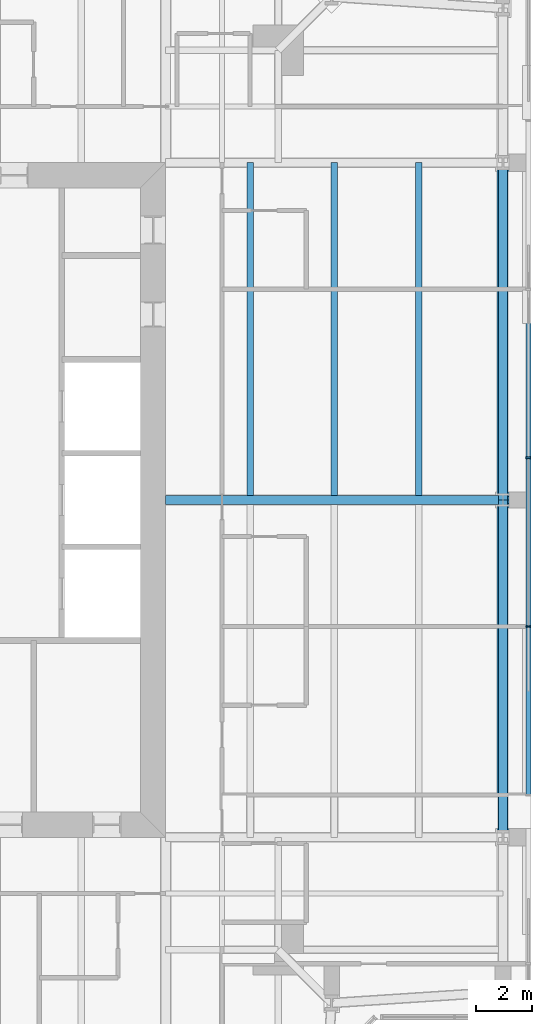
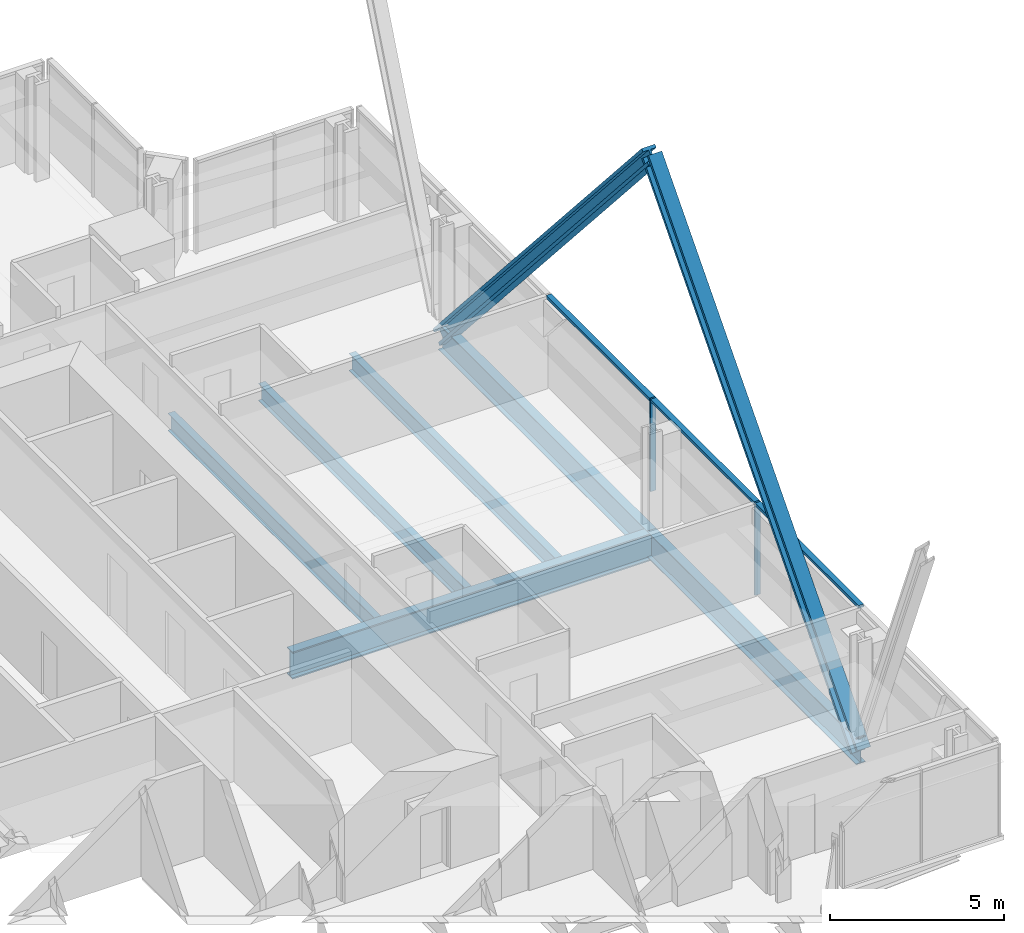
# One storey, part 6 of 18: 7 members, 6 beams, 1 element without a shape of its own.
"""IFC4 building model written with IfcOpenShell, lengths in metres."""

from ifc_helpers import new_model, si_unit, direction, frame, origin, origin_2d, place, context, subcontext, project, spatial, rectangle, i_section, extrude, material, material_profile, profile_set, type_object, element, aggregate, save


model = new_model("IFC4")

# Units and contexts
model_context = context("Model", 3, precision=1e-05, world=origin(), true_north=direction((0.0, 1.0)))
body_context = subcontext(model_context, "Body", "Model", "MODEL_VIEW")
ifc_project = project(units=[si_unit("LENGTHUNIT", "METRE"), si_unit("AREAUNIT", "SQUARE_METRE"), si_unit("VOLUMEUNIT", "CUBIC_METRE"), si_unit("PLANEANGLEUNIT", "RADIAN"), si_unit("MASSUNIT", "GRAM", prefix="KILO")], contexts=[model_context])

# Site, building, storey
site_placement = place(None, origin())
site = spatial("IfcSite", under=ifc_project, at=site_placement, CompositionType="ELEMENT")
building_placement = place(site_placement, origin())
building = spatial("IfcBuilding", under=site, at=building_placement, Name="Fenwick Lantern Interchange", CompositionType="ELEMENT")
storey_placement = place(building_placement, frame((0.0, 0.0, 269.60009765625)))
storey = spatial("IfcBuildingStorey", under=building, at=storey_placement, Name="L64", CompositionType="ELEMENT", Elevation=269.60009765625)

# Beams
ifc_material_1 = material(Name="Steel ASTM A992 Grade 50", Category="steel")
ifc_material_profile_1 = material_profile(ifc_material_1, i_section(OverallWidth=0.3046875, OverallDepth=0.911865234375, WebThickness=0.015869140625, FlangeThickness=0.02392578125, at=origin_2d()), Name="W36X150")
ifc_profile_set_1 = profile_set([ifc_material_profile_1], Name="Steel ASTM A992 Grade 50")
beam_type_1 = type_object("IfcBeamType", Name="EDGE BEAM W36X150", PredefinedType="SPANDREL", material=ifc_profile_set_1)
for number, where, z_axis, x_axis, name in (
    (1, (49.0, 13.0, -0.60595703125), (0.0, 1.0, 0.0), (-1.0, 0.0, 0.0), "L64/FR/E/EB2"),
    (2, (49.0, 25.0, -0.60595703125), (0.0, 1.0, 0.0), (-1.0, 0.0, 0.0), "L64/FR/E/EB3"),
):
    element("IfcBeam", number, at=place(storey_placement, frame(where, z_axis=z_axis, x_axis=x_axis)), inside=storey, type_object=beam_type_1, Name=name, PredefinedType="SPANDREL", context=body_context, shape_type="SweptSolid", body=[
        extrude(i_section(OverallWidth=0.3046875, OverallDepth=0.911865234375, WebThickness=0.015869140625, FlangeThickness=0.02392578125, at=origin_2d()), origin(), (0.0, 0.0, 1.0), 12.0),
    ])

# Members
ifc_material_profile_2 = material_profile(ifc_material_1, i_section(OverallWidth=0.44189453125, OverallDepth=0.53076171875, WebThickness=0.06591796875, FlangeThickness=0.105712890625, at=origin_2d()), Name="W14X605")
ifc_profile_set_2 = profile_set([ifc_material_profile_2], Name="Steel ASTM A992 Grade 50")
member_type_1 = type_object("IfcMemberType", Name="FACADE BRACE W14X605", PredefinedType="BRACE", material=ifc_profile_set_2)
for number, where, z_axis, x_axis, name in (
    (3, (49.0, 13.0, -0.60595703125), (0.0, 0.661625643894, 0.749834319928), (-1.0, 0.0, 0.0), "L64/FB/E/A"),
    (4, (49.0, 37.0, -0.60595703125), (0.0, -0.661625643894, 0.749834319928), (1.0, 0.0, 0.0), "L64/FB/E/B"),
):
    element("IfcMember", number, at=place(storey_placement, frame(where, z_axis=z_axis, x_axis=x_axis)), inside=storey, type_object=member_type_1, Name=name, PredefinedType="BRACE", context=body_context, shape_type="SweptSolid", body=[
        extrude(i_section(OverallWidth=0.44189453125, OverallDepth=0.53076171875, WebThickness=0.06591796875, FlangeThickness=0.105712890625, at=origin_2d()), origin(), (0.0, 0.0, 1.0), 18.13720703125),
    ])

# Beams
ifc_material_profile_3 = material_profile(ifc_material_1, i_section(OverallWidth=0.22900390625, OverallDepth=0.612060546875, WebThickness=0.011962890625, FlangeThickness=0.01953125, at=origin_2d()), Name="W24X84")
ifc_profile_set_3 = profile_set([ifc_material_profile_3], Name="Steel ASTM A992 Grade 50")
beam_type_2 = type_object("IfcBeamType", Name="FLOOR BEAM W24X84", PredefinedType="BEAM", material=ifc_profile_set_3)
for number, where, z_axis, x_axis, name in (
    (5, (46.0, 25.155029296875, -0.4560546875), (0.0, 1.0, 0.0), (-1.0, 0.0, 0.0), "L64/FR/E/B04"),
    (6, (43.0, 25.155029296875, -0.4560546875), (0.0, 1.0, 0.0), (-1.0, 0.0, 0.0), "L64/FR/E/B05"),
    (7, (40.0, 25.155029296875, -0.4560546875), (0.0, 1.0, 0.0), (-1.0, 0.0, 0.0), "L64/FR/E/B06"),
):
    element("IfcBeam", number, at=place(storey_placement, frame(where, z_axis=z_axis, x_axis=x_axis)), inside=storey, type_object=beam_type_2, Name=name, PredefinedType="BEAM", context=body_context, shape_type="SweptSolid", body=[
        extrude(i_section(OverallWidth=0.22900390625, OverallDepth=0.612060546875, WebThickness=0.011962890625, FlangeThickness=0.01953125, at=origin_2d()), origin(), (0.0, 0.0, 1.0), 11.844970703125),
    ])

# Curtain wall, members
ifc_material_2 = material(Name="Aluminium curtain wall frame", Category="aluminium")
curtain_wall_type = type_object("IfcCurtainWallType", Name="HOTEL CURTAIN WALL", PredefinedType="USERDEFINED", material=ifc_material_2)
curtain_wall_placement = place(storey_placement, origin())
curtain_wall = element("IfcCurtainWall", 8, at=curtain_wall_placement, inside=storey, type_object=curtain_wall_type, Name="Hotel curtain wall 05", ObjectType="HOTEL CURTAIN WALL", PredefinedType="USERDEFINED")
ifc_material_3 = material(Name="Aluminium extrusion", Category="aluminium")
ifc_material_profile_4 = material_profile(ifc_material_3, rectangle(XDim=0.179931640625, YDim=0.06005859375, at=origin_2d()), Name="HOTEL CURTAIN WALL MULLION 60 X 180")
ifc_profile_set_4 = profile_set([ifc_material_profile_4], Name="Aluminium extrusion")
member_type_2 = type_object("IfcMemberType", Name="HOTEL CURTAIN WALL MULLION 60 X 180", PredefinedType="MULLION", material=ifc_profile_set_4)
member_1_placement = place(storey_placement, frame((49.89990234375, 20.5, 0.0), z_axis=(0.0, 0.0, 1.0), x_axis=(-1.0, 0.0, 0.0)))
member_1 = element("IfcMember", 9, at=member_1_placement, type_object=member_type_2, Name="L64/CW/05/M03", PredefinedType="MULLION", context=body_context, shape_type="SweptSolid", body=[
    extrude(rectangle(XDim=0.179931640625, YDim=0.06005859375, at=origin_2d()), origin(), (0.0, 0.0, 1.0), 3.25),
])
member_2_placement = place(storey_placement, frame((49.89990234375, 26.5, 0.0), z_axis=(0.0, 0.0, 1.0), x_axis=(-1.0, 0.0, 0.0)))
member_2 = element("IfcMember", 10, at=member_2_placement, type_object=member_type_2, Name="L64/CW/05/M04", PredefinedType="MULLION", context=body_context, shape_type="SweptSolid", body=[
    extrude(rectangle(XDim=0.179931640625, YDim=0.06005859375, at=origin_2d()), origin(), (0.0, 0.0, 1.0), 3.25),
])
ifc_material_profile_5 = material_profile(ifc_material_3, rectangle(XDim=0.179931640625, YDim=0.10009765625, at=origin_2d()), Name="HOTEL CURTAIN WALL TRANSOM 100 X 180")
ifc_profile_set_5 = profile_set([ifc_material_profile_5], Name="Aluminium extrusion")
member_type_3 = type_object("IfcMemberType", Name="HOTEL CURTAIN WALL TRANSOM 100 X 180", PredefinedType="MULLION", material=ifc_profile_set_5)
member_3_placement = place(storey_placement, frame((49.89990234375, 14.530029296875, 3.199951171875), z_axis=(0.0, 1.0, 0.0), x_axis=(-1.0, 0.0, 0.0)))
member_3 = element("IfcMember", 11, at=member_3_placement, type_object=member_type_3, Name="L64/CW/05/T02", PredefinedType="MULLION", context=body_context, shape_type="SweptSolid", body=[
    extrude(rectangle(XDim=0.179931640625, YDim=0.10009765625, at=origin_2d()), origin(), (0.0, 0.0, 1.0), 5.93994140625),
])
member_4_placement = place(storey_placement, frame((49.89990234375, 20.530029296875, 3.199951171875), z_axis=(0.0, 1.0, 0.0), x_axis=(-1.0, 0.0, 0.0)))
member_4 = element("IfcMember", 12, at=member_4_placement, type_object=member_type_3, Name="L64/CW/05/T03", PredefinedType="MULLION", context=body_context, shape_type="SweptSolid", body=[
    extrude(rectangle(XDim=0.179931640625, YDim=0.10009765625, at=origin_2d()), origin(), (0.0, 0.0, 1.0), 5.93994140625),
])
member_5_placement = place(storey_placement, frame((49.89990234375, 26.530029296875, 3.199951171875), z_axis=(0.0, 1.0, 0.0), x_axis=(-1.0, 0.0, 0.0)))
member_5 = element("IfcMember", 13, at=member_5_placement, type_object=member_type_3, Name="L64/CW/05/T04", PredefinedType="MULLION", context=body_context, shape_type="SweptSolid", body=[
    extrude(rectangle(XDim=0.179931640625, YDim=0.10009765625, at=origin_2d()), origin(), (0.0, 0.0, 1.0), 5.93994140625),
])
aggregate(curtain_wall, [member_1, member_2, member_3, member_4, member_5])

# Beam
ifc_material_profile_6 = material_profile(ifc_material_1, i_section(OverallWidth=0.309814453125, OverallDepth=0.949951171875, WebThickness=0.0244140625, FlangeThickness=0.0439453125, at=origin_2d()), Name="W36X256")
ifc_profile_set_6 = profile_set([ifc_material_profile_6], Name="Steel ASTM A992 Grade 50")
beam_type_3 = type_object("IfcBeamType", Name="MOMENT-CONNECTED GIRDER W36X256", PredefinedType="BEAM", material=ifc_profile_set_6)
beam_placement = place(storey_placement, frame((49.0, 25.0, -0.625), z_axis=(-1.0, 0.0, 0.0), x_axis=(0.0, -1.0, 0.0)))
element("IfcBeam", 14, at=beam_placement, inside=storey, type_object=beam_type_3, Name="L64/FR/E/R02", PredefinedType="BEAM", context=body_context, shape_type="SweptSolid", body=[
    extrude(i_section(OverallWidth=0.309814453125, OverallDepth=0.949951171875, WebThickness=0.0244140625, FlangeThickness=0.0439453125, at=origin_2d()), origin(), (0.0, 0.0, 1.0), 12.0),
])

save(model, "model.ifc")
